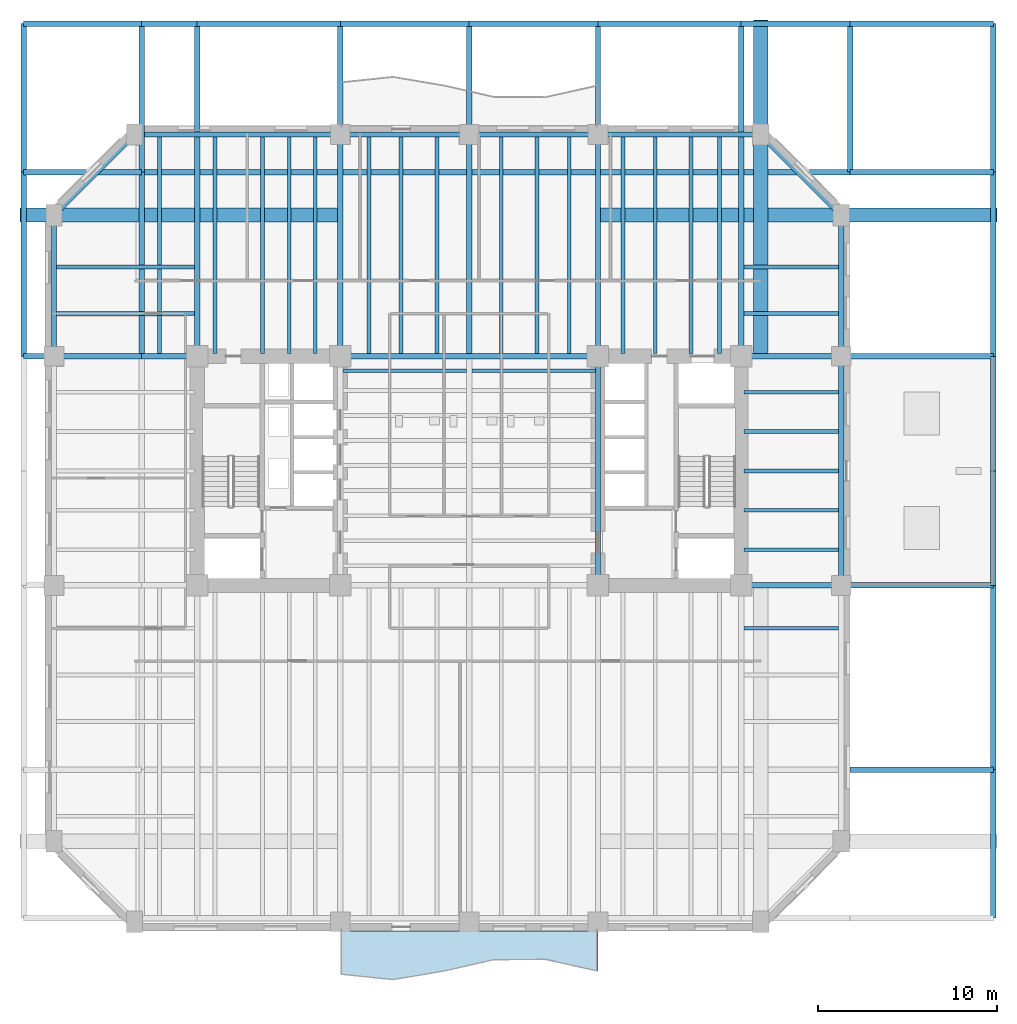
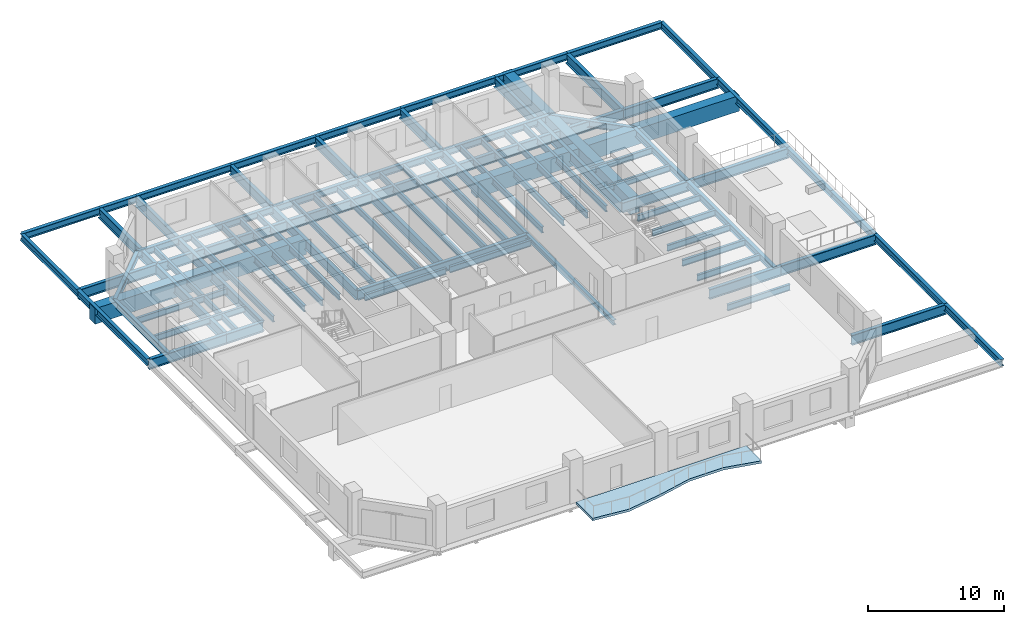
# One storey, part 2 of 11: 75 beams, 1 slab.
"""IFC4 building model written with IfcOpenShell, lengths in metres."""

from ifc_helpers import new_model, si_unit, direction, frame, origin, origin_2d, place, context, subcontext, project, spatial, polyline, rectangle, i_section, outline, extrude, material, layer, layer_set, material_profile, profile_set, type_object, element, save


model = new_model("IFC4")

# Units and contexts
model_context = context("Model", 3, precision=1e-05, world=origin(), true_north=direction((0.0, 1.0)))
body_context = subcontext(model_context, "Body", "Model", "MODEL_VIEW")
ifc_project = project(units=[si_unit("LENGTHUNIT", "METRE"), si_unit("AREAUNIT", "SQUARE_METRE"), si_unit("VOLUMEUNIT", "CUBIC_METRE"), si_unit("PLANEANGLEUNIT", "RADIAN"), si_unit("MASSUNIT", "GRAM", prefix="KILO")], contexts=[model_context])

# Site, building, storey
site_placement = place(None, origin())
site = spatial("IfcSite", under=ifc_project, at=site_placement, CompositionType="ELEMENT")
building_placement = place(site_placement, origin())
building = spatial("IfcBuilding", under=site, at=building_placement, Name="Kranthara Brick Stack", CompositionType="ELEMENT")
storey_placement = place(building_placement, frame((0.0, 0.0, 24.300048828125)))
storey = spatial("IfcBuildingStorey", under=building, at=storey_placement, Name="L05", CompositionType="ELEMENT", Elevation=24.300048828125)

# Beams
ifc_material_1 = material(Name="Steel S355", Category="steel")
ifc_material_profile_1 = material_profile(ifc_material_1, i_section(OverallWidth=0.2099609375, OverallDepth=0.550048828125, WebThickness=0.010986328125, FlangeThickness=0.01708984375, at=origin_2d()), Name="IPE 550")
ifc_profile_set_1 = profile_set([ifc_material_profile_1], Name="Steel S355")
beam_type_1 = type_object("IfcBeamType", Name="BM-JST-IPE550", PredefinedType="JOIST", material=ifc_profile_set_1)
for number, where, z_axis, x_axis, name in (
    (1, (20.949951171875, 32.800048828125, -0.72509765625), (1.0, 0.0, 0.0), (0.0, 1.0, 0.0), "L05 Central Floor Joist 100"),
    (2, (28.14990234375, 32.800048828125, -0.72509765625), (1.0, 0.0, 0.0), (0.0, 1.0, 0.0), "L05 Central Floor Joist 101"),
):
    element("IfcBeam", number, at=place(storey_placement, frame(where, z_axis=z_axis, x_axis=x_axis)), inside=storey, type_object=beam_type_1, Name=name, PredefinedType="JOIST", context=body_context, shape_type="SweptSolid", body=[
        extrude(i_section(OverallWidth=0.2099609375, OverallDepth=0.550048828125, WebThickness=0.010986328125, FlangeThickness=0.01708984375, at=origin_2d()), origin(), (0.0, 0.0, 1.0), 6.900146484375),
    ])
for number, where, z_axis, x_axis, name in (
    (3, (10.699951171875, 33.75, -0.72509765625), (0.0, 1.0, 0.0), (-1.0, 0.0, 0.0), "L05 North Wing Floor Joist 103"),
    (4, (13.800048828125, 33.75, -0.72509765625), (0.0, 1.0, 0.0), (-1.0, 0.0, 0.0), "L05 North Wing Floor Joist 105"),
    (5, (16.449951171875, 33.75, -0.72509765625), (0.0, 1.0, 0.0), (-1.0, 0.0, 0.0), "L05 North Wing Floor Joist 107"),
    (6, (17.949951171875, 33.75, -0.72509765625), (0.0, 1.0, 0.0), (-1.0, 0.0, 0.0), "L05 North Wing Floor Joist 109"),
    (7, (19.39990234375, 33.75, -0.72509765625), (0.0, 1.0, 0.0), (-1.0, 0.0, 0.0), "L05 North Wing Floor Joist 111"),
    (8, (22.39990234375, 33.75, -0.72509765625), (0.0, 1.0, 0.0), (-1.0, 0.0, 0.0), "L05 North Wing Floor Joist 113"),
    (9, (24.199951171875, 33.75, -0.72509765625), (0.0, 1.0, 0.0), (-1.0, 0.0, 0.0), "L05 North Wing Floor Joist 115"),
    (10, (26.199951171875, 33.75, -0.72509765625), (0.0, 1.0, 0.0), (-1.0, 0.0, 0.0), "L05 North Wing Floor Joist 117"),
    (11, (29.800048828125, 33.75, -0.72509765625), (0.0, 1.0, 0.0), (-1.0, 0.0, 0.0), "L05 North Wing Floor Joist 119"),
    (12, (31.800048828125, 33.75, -0.72509765625), (0.0, 1.0, 0.0), (-1.0, 0.0, 0.0), "L05 North Wing Floor Joist 121"),
    (13, (33.60009765625, 33.75, -0.72509765625), (0.0, 1.0, 0.0), (-1.0, 0.0, 0.0), "L05 North Wing Floor Joist 123"),
    (14, (36.60009765625, 33.75, -0.72509765625), (0.0, 1.0, 0.0), (-1.0, 0.0, 0.0), "L05 North Wing Floor Joist 125"),
    (15, (38.39990234375, 33.75, -0.72509765625), (0.0, 1.0, 0.0), (-1.0, 0.0, 0.0), "L05 North Wing Floor Joist 127"),
    (16, (40.39990234375, 33.75, -0.72509765625), (0.0, 1.0, 0.0), (-1.0, 0.0, 0.0), "L05 North Wing Floor Joist 129"),
    (17, (42.0, 33.75, -0.72509765625), (0.0, 1.0, 0.0), (-1.0, 0.0, 0.0), "L05 North Wing Floor Joist 131"),
):
    element("IfcBeam", number, at=place(storey_placement, frame(where, z_axis=z_axis, x_axis=x_axis)), inside=storey, type_object=beam_type_1, Name=name, PredefinedType="JOIST", context=body_context, shape_type="SweptSolid", body=[
        extrude(i_section(OverallWidth=0.2099609375, OverallDepth=0.550048828125, WebThickness=0.010986328125, FlangeThickness=0.01708984375, at=origin_2d()), origin(), (0.0, 0.0, 1.0), 12.10009765625),
    ])
for number, where, z_axis, x_axis, name in (
    (18, (43.35009765625, 18.39990234375, -0.72509765625), (1.0, 0.0, 0.0), (0.0, 1.0, 0.0), "L05 East Wing Floor Joist 139"),
    (19, (43.35009765625, 22.800048828125, -0.72509765625), (1.0, 0.0, 0.0), (0.0, 1.0, 0.0), "L05 East Wing Floor Joist 141"),
    (20, (43.35009765625, 25.0, -0.72509765625), (1.0, 0.0, 0.0), (0.0, 1.0, 0.0), "L05 East Wing Floor Joist 143"),
    (21, (43.35009765625, 27.199951171875, -0.72509765625), (1.0, 0.0, 0.0), (0.0, 1.0, 0.0), "L05 East Wing Floor Joist 145"),
    (22, (43.35009765625, 29.39990234375, -0.72509765625), (1.0, 0.0, 0.0), (0.0, 1.0, 0.0), "L05 East Wing Floor Joist 147"),
    (23, (43.35009765625, 31.60009765625, -0.72509765625), (1.0, 0.0, 0.0), (0.0, 1.0, 0.0), "L05 East Wing Floor Joist 149"),
):
    element("IfcBeam", number, at=place(storey_placement, frame(where, z_axis=z_axis, x_axis=x_axis)), inside=storey, type_object=beam_type_1, Name=name, PredefinedType="JOIST", context=body_context, shape_type="SweptSolid", body=[
        extrude(i_section(OverallWidth=0.2099609375, OverallDepth=0.550048828125, WebThickness=0.010986328125, FlangeThickness=0.01708984375, at=origin_2d()), origin(), (0.0, 0.0, 1.0), 5.2998046875),
    ])
beam_1_placement = place(storey_placement, frame((4.949951171875, 36.0, -0.72509765625), z_axis=(1.0, 0.0, 0.0), x_axis=(0.0, 1.0, 0.0)))
element("IfcBeam", 24, at=beam_1_placement, inside=storey, type_object=beam_type_1, Name="L05 West Wing Floor Joist 150", PredefinedType="JOIST", context=body_context, shape_type="SweptSolid", body=[
    extrude(i_section(OverallWidth=0.2099609375, OverallDepth=0.550048828125, WebThickness=0.010986328125, FlangeThickness=0.01708984375, at=origin_2d()), origin(), (0.0, 0.0, 1.0), 7.699951171875),
])
beam_2_placement = place(storey_placement, frame((43.35009765625, 36.0, -0.72509765625), z_axis=(1.0, 0.0, 0.0), x_axis=(0.0, 1.0, 0.0)))
element("IfcBeam", 25, at=beam_2_placement, inside=storey, type_object=beam_type_1, Name="L05 East Wing Floor Joist 151", PredefinedType="JOIST", context=body_context, shape_type="SweptSolid", body=[
    extrude(i_section(OverallWidth=0.2099609375, OverallDepth=0.550048828125, WebThickness=0.010986328125, FlangeThickness=0.01708984375, at=origin_2d()), origin(), (0.0, 0.0, 1.0), 5.2998046875),
])
beam_3_placement = place(storey_placement, frame((4.949951171875, 38.60009765625, -0.72509765625), z_axis=(1.0, 0.0, 0.0), x_axis=(0.0, 1.0, 0.0)))
element("IfcBeam", 26, at=beam_3_placement, inside=storey, type_object=beam_type_1, Name="L05 West Wing Floor Joist 152", PredefinedType="JOIST", context=body_context, shape_type="SweptSolid", body=[
    extrude(i_section(OverallWidth=0.2099609375, OverallDepth=0.550048828125, WebThickness=0.010986328125, FlangeThickness=0.01708984375, at=origin_2d()), origin(), (0.0, 0.0, 1.0), 7.699951171875),
])
beam_4_placement = place(storey_placement, frame((43.35009765625, 38.60009765625, -0.72509765625), z_axis=(1.0, 0.0, 0.0), x_axis=(0.0, 1.0, 0.0)))
element("IfcBeam", 27, at=beam_4_placement, inside=storey, type_object=beam_type_1, Name="L05 East Wing Floor Joist 153", PredefinedType="JOIST", context=body_context, shape_type="SweptSolid", body=[
    extrude(i_section(OverallWidth=0.2099609375, OverallDepth=0.550048828125, WebThickness=0.010986328125, FlangeThickness=0.01708984375, at=origin_2d()), origin(), (0.0, 0.0, 1.0), 5.2998046875),
])
ifc_material_2 = material(Name="Steel S355", Category="steel")
ifc_material_profile_2 = material_profile(ifc_material_2, i_section(OverallWidth=0.300048828125, OverallDepth=0.449951171875, WebThickness=0.013916015625, FlangeThickness=0.02587890625, at=origin_2d()), Name="HEB 450")
ifc_profile_set_2 = profile_set([ifc_material_profile_2], Name="Steel S355")
beam_type_2 = type_object("IfcBeamType", Name="BM-STL-HEB450", PredefinedType="SPANDREL", material=ifc_profile_set_2)
beam_5_placement = place(storey_placement, frame((35.199951171875, 20.800048828125, -0.675048828125), z_axis=(0.0, 1.0, 0.0), x_axis=(-1.0, 0.0, 0.0)))
element("IfcBeam", 28, at=beam_5_placement, inside=storey, type_object=beam_type_2, Name="L05 Core Edge Tie Beam 004", PredefinedType="SPANDREL", context=body_context, shape_type="SweptSolid", body=[
    extrude(i_section(OverallWidth=0.300048828125, OverallDepth=0.449951171875, WebThickness=0.013916015625, FlangeThickness=0.02587890625, at=origin_2d()), origin(), (0.0, 0.0, 1.0), 12.800048828125),
])
ifc_material_3 = material(Name="Steel S355", Category="steel")
ifc_material_profile_3 = material_profile(ifc_material_3, i_section(OverallWidth=0.300048828125, OverallDepth=0.60009765625, WebThickness=0.015380859375, FlangeThickness=0.030029296875, at=origin_2d()), Name="HEB 600")
ifc_profile_set_3 = profile_set([ifc_material_profile_3], Name="Steel S355")
beam_type_3 = type_object("IfcBeamType", Name="BM-STL-HEB600", PredefinedType="BEAM", material=ifc_profile_set_3)
beam_6_placement = place(storey_placement, frame((3.10009765625, 52.199951171875, -0.75), z_axis=(1.0, 0.0, 0.0), x_axis=(0.0, 1.0, 0.0)))
element("IfcBeam", 29, at=beam_6_placement, inside=storey, type_object=beam_type_3, Name="L05 Perimeter Spandrel Beam 013", PredefinedType="BEAM", context=body_context, shape_type="SweptSolid", body=[
    extrude(i_section(OverallWidth=0.300048828125, OverallDepth=0.60009765625, WebThickness=0.015380859375, FlangeThickness=0.030029296875, at=origin_2d()), origin(), (0.0, 0.0, 1.0), 6.599853515625),
])
beam_7_placement = place(storey_placement, frame((9.699951171875, 52.199951171875, -0.75), z_axis=(1.0, 0.0, 0.0), x_axis=(0.0, 1.0, 0.0)))
element("IfcBeam", 30, at=beam_7_placement, inside=storey, type_object=beam_type_3, Name="L05 Perimeter Spandrel Beam 014", PredefinedType="BEAM", context=body_context, shape_type="SweptSolid", body=[
    extrude(i_section(OverallWidth=0.300048828125, OverallDepth=0.60009765625, WebThickness=0.015380859375, FlangeThickness=0.030029296875, at=origin_2d()), origin(), (0.0, 0.0, 1.0), 3.10009765625),
])
beam_8_placement = place(storey_placement, frame((12.800048828125, 52.199951171875, -0.75), z_axis=(1.0, 0.0, 0.0), x_axis=(0.0, 1.0, 0.0)))
element("IfcBeam", 31, at=beam_8_placement, inside=storey, type_object=beam_type_3, Name="L05 Perimeter Spandrel Beam 015", PredefinedType="BEAM", context=body_context, shape_type="SweptSolid", body=[
    extrude(i_section(OverallWidth=0.300048828125, OverallDepth=0.60009765625, WebThickness=0.015380859375, FlangeThickness=0.030029296875, at=origin_2d()), origin(), (0.0, 0.0, 1.0), 8.0),
])
for number, where, z_axis, x_axis, name in (
    (32, (20.800048828125, 52.199951171875, -0.75), (1.0, 0.0, 0.0), (0.0, 1.0, 0.0), "L05 Perimeter Spandrel Beam 016"),
    (33, (28.0, 52.199951171875, -0.75), (1.0, 0.0, 0.0), (0.0, 1.0, 0.0), "L05 Perimeter Spandrel Beam 017"),
):
    element("IfcBeam", number, at=place(storey_placement, frame(where, z_axis=z_axis, x_axis=x_axis)), inside=storey, type_object=beam_type_3, Name=name, PredefinedType="BEAM", context=body_context, shape_type="SweptSolid", body=[
        extrude(i_section(OverallWidth=0.300048828125, OverallDepth=0.60009765625, WebThickness=0.015380859375, FlangeThickness=0.030029296875, at=origin_2d()), origin(), (0.0, 0.0, 1.0), 7.199951171875),
    ])
beam_9_placement = place(storey_placement, frame((35.199951171875, 52.199951171875, -0.75), z_axis=(1.0, 0.0, 0.0), x_axis=(0.0, 1.0, 0.0)))
element("IfcBeam", 34, at=beam_9_placement, inside=storey, type_object=beam_type_3, Name="L05 Perimeter Spandrel Beam 018", PredefinedType="BEAM", context=body_context, shape_type="SweptSolid", body=[
    extrude(i_section(OverallWidth=0.300048828125, OverallDepth=0.60009765625, WebThickness=0.015380859375, FlangeThickness=0.030029296875, at=origin_2d()), origin(), (0.0, 0.0, 1.0), 8.0),
])
beam_10_placement = place(storey_placement, frame((43.199951171875, 52.199951171875, -0.75), z_axis=(1.0, 0.0, 0.0), x_axis=(0.0, 1.0, 0.0)))
element("IfcBeam", 35, at=beam_10_placement, inside=storey, type_object=beam_type_3, Name="L05 Perimeter Spandrel Beam 019", PredefinedType="BEAM", context=body_context, shape_type="SweptSolid", body=[
    extrude(i_section(OverallWidth=0.300048828125, OverallDepth=0.60009765625, WebThickness=0.015380859375, FlangeThickness=0.030029296875, at=origin_2d()), origin(), (0.0, 0.0, 1.0), 6.10009765625),
])
beam_11_placement = place(storey_placement, frame((49.300048828125, 52.199951171875, -0.75), z_axis=(1.0, 0.0, 0.0), x_axis=(0.0, 1.0, 0.0)))
element("IfcBeam", 36, at=beam_11_placement, inside=storey, type_object=beam_type_3, Name="L05 Perimeter Spandrel Beam 020", PredefinedType="BEAM", context=body_context, shape_type="SweptSolid", body=[
    extrude(i_section(OverallWidth=0.300048828125, OverallDepth=0.60009765625, WebThickness=0.015380859375, FlangeThickness=0.030029296875, at=origin_2d()), origin(), (0.0, 0.0, 1.0), 8.0),
])
beam_12_placement = place(storey_placement, frame((3.10009765625, 33.60009765625, -0.75), z_axis=(0.0, 1.0, 0.0), x_axis=(-1.0, 0.0, 0.0)))
element("IfcBeam", 37, at=beam_12_placement, inside=storey, type_object=beam_type_3, Name="L05 Perimeter Spandrel Beam 025", PredefinedType="BEAM", context=body_context, shape_type="SweptSolid", body=[
    extrude(i_section(OverallWidth=0.300048828125, OverallDepth=0.60009765625, WebThickness=0.015380859375, FlangeThickness=0.030029296875, at=origin_2d()), origin(), (0.0, 0.0, 1.0), 10.2998046875),
])
for number, where, z_axis, x_axis, name in (
    (38, (3.10009765625, 43.89990234375, -0.75), (0.0, 1.0, 0.0), (-1.0, 0.0, 0.0), "L05 Perimeter Spandrel Beam 026"),
    (39, (57.300048828125, 2.199951171875, -0.75), (0.0, 1.0, 0.0), (-1.0, 0.0, 0.0), "L05 Perimeter Spandrel Beam 027"),
):
    element("IfcBeam", number, at=place(storey_placement, frame(where, z_axis=z_axis, x_axis=x_axis)), inside=storey, type_object=beam_type_3, Name=name, PredefinedType="BEAM", context=body_context, shape_type="SweptSolid", body=[
        extrude(i_section(OverallWidth=0.300048828125, OverallDepth=0.60009765625, WebThickness=0.015380859375, FlangeThickness=0.030029296875, at=origin_2d()), origin(), (0.0, 0.0, 1.0), 8.300048828125),
    ])
beam_13_placement = place(storey_placement, frame((57.300048828125, 10.5, -0.75), z_axis=(0.0, 1.0, 0.0), x_axis=(-1.0, 0.0, 0.0)))
element("IfcBeam", 40, at=beam_13_placement, inside=storey, type_object=beam_type_3, Name="L05 Perimeter Spandrel Beam 028", PredefinedType="BEAM", context=body_context, shape_type="SweptSolid", body=[
    extrude(i_section(OverallWidth=0.300048828125, OverallDepth=0.60009765625, WebThickness=0.015380859375, FlangeThickness=0.030029296875, at=origin_2d()), origin(), (0.0, 0.0, 1.0), 10.300048828125),
])
beam_14_placement = place(storey_placement, frame((57.300048828125, 20.800048828125, -0.75), z_axis=(0.0, 1.0, 0.0), x_axis=(-1.0, 0.0, 0.0)))
element("IfcBeam", 41, at=beam_14_placement, inside=storey, type_object=beam_type_3, Name="L05 Perimeter Spandrel Beam 029", PredefinedType="BEAM", context=body_context, shape_type="SweptSolid", body=[
    extrude(i_section(OverallWidth=0.300048828125, OverallDepth=0.60009765625, WebThickness=0.015380859375, FlangeThickness=0.030029296875, at=origin_2d()), origin(), (0.0, 0.0, 1.0), 6.39990234375),
])
beam_15_placement = place(storey_placement, frame((57.300048828125, 27.199951171875, -0.75), z_axis=(0.0, 1.0, 0.0), x_axis=(-1.0, 0.0, 0.0)))
element("IfcBeam", 42, at=beam_15_placement, inside=storey, type_object=beam_type_3, Name="L05 Perimeter Spandrel Beam 030", PredefinedType="BEAM", context=body_context, shape_type="SweptSolid", body=[
    extrude(i_section(OverallWidth=0.300048828125, OverallDepth=0.60009765625, WebThickness=0.015380859375, FlangeThickness=0.030029296875, at=origin_2d()), origin(), (0.0, 0.0, 1.0), 6.400146484375),
])
beam_16_placement = place(storey_placement, frame((57.300048828125, 33.60009765625, -0.75), z_axis=(0.0, 1.0, 0.0), x_axis=(-1.0, 0.0, 0.0)))
element("IfcBeam", 43, at=beam_16_placement, inside=storey, type_object=beam_type_3, Name="L05 Perimeter Spandrel Beam 031", PredefinedType="BEAM", context=body_context, shape_type="SweptSolid", body=[
    extrude(i_section(OverallWidth=0.300048828125, OverallDepth=0.60009765625, WebThickness=0.015380859375, FlangeThickness=0.030029296875, at=origin_2d()), origin(), (0.0, 0.0, 1.0), 10.2998046875),
])
beam_17_placement = place(storey_placement, frame((57.300048828125, 43.89990234375, -0.75), z_axis=(0.0, 1.0, 0.0), x_axis=(-1.0, 0.0, 0.0)))
element("IfcBeam", 44, at=beam_17_placement, inside=storey, type_object=beam_type_3, Name="L05 Perimeter Spandrel Beam 032", PredefinedType="BEAM", context=body_context, shape_type="SweptSolid", body=[
    extrude(i_section(OverallWidth=0.300048828125, OverallDepth=0.60009765625, WebThickness=0.015380859375, FlangeThickness=0.030029296875, at=origin_2d()), origin(), (0.0, 0.0, 1.0), 8.300048828125),
])
beam_18_placement = place(storey_placement, frame((9.300048828125, 46.0, -0.75), z_axis=(1.0, 0.0, 0.0), x_axis=(0.0, 1.0, 0.0)))
element("IfcBeam", 45, at=beam_18_placement, inside=storey, type_object=beam_type_3, Name="L05 Perimeter Spandrel Beam 033", PredefinedType="BEAM", context=body_context, shape_type="SweptSolid", body=[
    extrude(i_section(OverallWidth=0.300048828125, OverallDepth=0.60009765625, WebThickness=0.015380859375, FlangeThickness=0.030029296875, at=origin_2d()), origin(), (0.0, 0.0, 1.0), 11.5),
])
for number, where, z_axis, x_axis, name in (
    (46, (20.800048828125, 46.0, -0.75), (1.0, 0.0, 0.0), (0.0, 1.0, 0.0), "L05 Perimeter Spandrel Beam 034"),
    (47, (28.0, 46.0, -0.75), (1.0, 0.0, 0.0), (0.0, 1.0, 0.0), "L05 Perimeter Spandrel Beam 035"),
):
    element("IfcBeam", number, at=place(storey_placement, frame(where, z_axis=z_axis, x_axis=x_axis)), inside=storey, type_object=beam_type_3, Name=name, PredefinedType="BEAM", context=body_context, shape_type="SweptSolid", body=[
        extrude(i_section(OverallWidth=0.300048828125, OverallDepth=0.60009765625, WebThickness=0.015380859375, FlangeThickness=0.030029296875, at=origin_2d()), origin(), (0.0, 0.0, 1.0), 7.199951171875),
    ])
beam_19_placement = place(storey_placement, frame((35.199951171875, 46.0, -0.75), z_axis=(1.0, 0.0, 0.0), x_axis=(0.0, 1.0, 0.0)))
element("IfcBeam", 48, at=beam_19_placement, inside=storey, type_object=beam_type_3, Name="L05 Perimeter Spandrel Beam 036", PredefinedType="BEAM", context=body_context, shape_type="SweptSolid", body=[
    extrude(i_section(OverallWidth=0.300048828125, OverallDepth=0.60009765625, WebThickness=0.015380859375, FlangeThickness=0.030029296875, at=origin_2d()), origin(), (0.0, 0.0, 1.0), 9.10009765625),
])
beam_20_placement = place(storey_placement, frame((4.800048828125, 33.60009765625, -0.75), z_axis=(0.0, 1.0, 0.0), x_axis=(-1.0, 0.0, 0.0)))
element("IfcBeam", 49, at=beam_20_placement, inside=storey, type_object=beam_type_3, Name="L05 Perimeter Spandrel Beam 039", PredefinedType="BEAM", context=body_context, shape_type="SweptSolid", body=[
    extrude(i_section(OverallWidth=0.300048828125, OverallDepth=0.60009765625, WebThickness=0.015380859375, FlangeThickness=0.030029296875, at=origin_2d()), origin(), (0.0, 0.0, 1.0), 7.89990234375),
])
beam_21_placement = place(storey_placement, frame((48.800048828125, 20.800048828125, -0.75), z_axis=(0.0, 1.0, 0.0), x_axis=(-1.0, 0.0, 0.0)))
element("IfcBeam", 50, at=beam_21_placement, inside=storey, type_object=beam_type_3, Name="L05 Perimeter Spandrel Beam 041", PredefinedType="BEAM", context=body_context, shape_type="SweptSolid", body=[
    extrude(i_section(OverallWidth=0.300048828125, OverallDepth=0.60009765625, WebThickness=0.015380859375, FlangeThickness=0.030029296875, at=origin_2d()), origin(), (0.0, 0.0, 1.0), 12.800048828125),
])
beam_22_placement = place(storey_placement, frame((48.800048828125, 33.60009765625, -0.75), z_axis=(0.0, 1.0, 0.0), x_axis=(-1.0, 0.0, 0.0)))
element("IfcBeam", 51, at=beam_22_placement, inside=storey, type_object=beam_type_3, Name="L05 Perimeter Spandrel Beam 042", PredefinedType="BEAM", context=body_context, shape_type="SweptSolid", body=[
    extrude(i_section(OverallWidth=0.300048828125, OverallDepth=0.60009765625, WebThickness=0.015380859375, FlangeThickness=0.030029296875, at=origin_2d()), origin(), (0.0, 0.0, 1.0), 7.89990234375),
])
for number, where, z_axis, x_axis, name in (
    (52, (9.300048828125, 46.0, -0.75), (-0.707106781187, -0.707106781187, 0.0), (0.707106781187, -0.707106781187, 0.0), "L05 Chamfer Corner Spandrel 045"),
    (53, (44.300048828125, 46.0, -0.75), (0.707106781187, -0.707106781187, 0.0), (0.707106781187, 0.707106781187, 0.0), "L05 Chamfer Corner Spandrel 046"),
):
    element("IfcBeam", number, at=place(storey_placement, frame(where, z_axis=z_axis, x_axis=x_axis)), inside=storey, type_object=beam_type_3, Name=name, PredefinedType="BEAM", context=body_context, shape_type="SweptSolid", body=[
        extrude(i_section(OverallWidth=0.300048828125, OverallDepth=0.60009765625, WebThickness=0.015380859375, FlangeThickness=0.030029296875, at=origin_2d()), origin(), (0.0, 0.0, 1.0), 6.364013671875),
    ])
ifc_material_4 = material(Name="Steel S460", Category="steel")
ifc_material_profile_4 = material_profile(ifc_material_4, i_section(OverallWidth=0.300048828125, OverallDepth=0.89990234375, WebThickness=0.0185546875, FlangeThickness=0.034912109375, at=origin_2d()), Name="HEB 900")
ifc_profile_set_4 = profile_set([ifc_material_profile_4], Name="Steel S460")
beam_type_4 = type_object("IfcBeamType", Name="BM-TR-HEB900", PredefinedType="BEAM", material=ifc_profile_set_4)
beam_23_placement = place(storey_placement, frame((20.800048828125, 33.60009765625, -0.900146484375), z_axis=(1.0, 0.0, 0.0), x_axis=(0.0, 1.0, 0.0)))
element("IfcBeam", 54, at=beam_23_placement, inside=storey, type_object=beam_type_4, Name="L05 Core Coupling Beam 002", PredefinedType="BEAM", context=body_context, shape_type="SweptSolid", body=[
    extrude(i_section(OverallWidth=0.300048828125, OverallDepth=0.89990234375, WebThickness=0.0185546875, FlangeThickness=0.034912109375, at=origin_2d()), origin(), (0.0, 0.0, 1.0), 14.39990234375),
])
beam_24_placement = place(storey_placement, frame((9.699951171875, 33.60009765625, -0.900146484375), z_axis=(0.0, 1.0, 0.0), x_axis=(-1.0, 0.0, 0.0)))
element("IfcBeam", 55, at=beam_24_placement, inside=storey, type_object=beam_type_4, Name="L05 Primary Grid Girder 050", PredefinedType="BEAM", context=body_context, shape_type="SweptSolid", body=[
    extrude(i_section(OverallWidth=0.300048828125, OverallDepth=0.89990234375, WebThickness=0.0185546875, FlangeThickness=0.034912109375, at=origin_2d()), origin(), (0.0, 0.0, 1.0), 10.2998046875),
])
beam_25_placement = place(storey_placement, frame((9.699951171875, 43.89990234375, -0.900146484375), z_axis=(0.0, 1.0, 0.0), x_axis=(-1.0, 0.0, 0.0)))
element("IfcBeam", 56, at=beam_25_placement, inside=storey, type_object=beam_type_4, Name="L05 Primary Grid Girder 051", PredefinedType="BEAM", context=body_context, shape_type="SweptSolid", body=[
    extrude(i_section(OverallWidth=0.300048828125, OverallDepth=0.89990234375, WebThickness=0.0185546875, FlangeThickness=0.034912109375, at=origin_2d()), origin(), (0.0, 0.0, 1.0), 8.300048828125),
])
for number, where, z_axis, x_axis, name in (
    (57, (12.800048828125, 33.60009765625, -0.900146484375), (0.0, 1.0, 0.0), (-1.0, 0.0, 0.0), "L05 Primary Grid Girder 053"),
    (58, (20.800048828125, 33.60009765625, -0.900146484375), (0.0, 1.0, 0.0), (-1.0, 0.0, 0.0), "L05 Primary Grid Girder 055"),
):
    element("IfcBeam", number, at=place(storey_placement, frame(where, z_axis=z_axis, x_axis=x_axis)), inside=storey, type_object=beam_type_4, Name=name, PredefinedType="BEAM", context=body_context, shape_type="SweptSolid", body=[
        extrude(i_section(OverallWidth=0.300048828125, OverallDepth=0.89990234375, WebThickness=0.0185546875, FlangeThickness=0.034912109375, at=origin_2d()), origin(), (0.0, 0.0, 1.0), 18.599853515625),
    ])
beam_26_placement = place(storey_placement, frame((28.0, 33.75, -0.900146484375), z_axis=(0.0, 1.0, 0.0), x_axis=(-1.0, 0.0, 0.0)))
element("IfcBeam", 59, at=beam_26_placement, inside=storey, type_object=beam_type_4, Name="L05 Primary Grid Girder 058", PredefinedType="BEAM", context=body_context, shape_type="SweptSolid", body=[
    extrude(i_section(OverallWidth=0.300048828125, OverallDepth=0.89990234375, WebThickness=0.0185546875, FlangeThickness=0.034912109375, at=origin_2d()), origin(), (0.0, 0.0, 1.0), 18.449951171875),
])
for number, where, z_axis, x_axis, name in (
    (60, (35.199951171875, 33.60009765625, -0.900146484375), (0.0, 1.0, 0.0), (-1.0, 0.0, 0.0), "L05 Primary Grid Girder 060"),
    (61, (43.199951171875, 33.60009765625, -0.900146484375), (0.0, 1.0, 0.0), (-1.0, 0.0, 0.0), "L05 Primary Grid Girder 062"),
):
    element("IfcBeam", number, at=place(storey_placement, frame(where, z_axis=z_axis, x_axis=x_axis)), inside=storey, type_object=beam_type_4, Name=name, PredefinedType="BEAM", context=body_context, shape_type="SweptSolid", body=[
        extrude(i_section(OverallWidth=0.300048828125, OverallDepth=0.89990234375, WebThickness=0.0185546875, FlangeThickness=0.034912109375, at=origin_2d()), origin(), (0.0, 0.0, 1.0), 18.599853515625),
    ])
beam_27_placement = place(storey_placement, frame((49.300048828125, 43.89990234375, -0.900146484375), z_axis=(0.0, 1.0, 0.0), x_axis=(-1.0, 0.0, 0.0)))
element("IfcBeam", 62, at=beam_27_placement, inside=storey, type_object=beam_type_4, Name="L05 Primary Grid Girder 063", PredefinedType="BEAM", context=body_context, shape_type="SweptSolid", body=[
    extrude(i_section(OverallWidth=0.300048828125, OverallDepth=0.89990234375, WebThickness=0.0185546875, FlangeThickness=0.034912109375, at=origin_2d()), origin(), (0.0, 0.0, 1.0), 8.300048828125),
])
beam_28_placement = place(storey_placement, frame((49.300048828125, 10.5, -0.900146484375), z_axis=(1.0, 0.0, 0.0), x_axis=(0.0, 1.0, 0.0)))
element("IfcBeam", 63, at=beam_28_placement, inside=storey, type_object=beam_type_4, Name="L05 Primary Grid Girder 066", PredefinedType="BEAM", context=body_context, shape_type="SweptSolid", body=[
    extrude(i_section(OverallWidth=0.300048828125, OverallDepth=0.89990234375, WebThickness=0.0185546875, FlangeThickness=0.034912109375, at=origin_2d()), origin(), (0.0, 0.0, 1.0), 8.0),
])
beam_29_placement = place(storey_placement, frame((43.199951171875, 20.800048828125, -0.900146484375), z_axis=(1.0, 0.0, 0.0), x_axis=(0.0, 1.0, 0.0)))
element("IfcBeam", 64, at=beam_29_placement, inside=storey, type_object=beam_type_4, Name="L05 Primary Grid Girder 069", PredefinedType="BEAM", context=body_context, shape_type="SweptSolid", body=[
    extrude(i_section(OverallWidth=0.300048828125, OverallDepth=0.89990234375, WebThickness=0.0185546875, FlangeThickness=0.034912109375, at=origin_2d()), origin(), (0.0, 0.0, 1.0), 6.10009765625),
])
beam_30_placement = place(storey_placement, frame((49.300048828125, 20.800048828125, -0.900146484375), z_axis=(1.0, 0.0, 0.0), x_axis=(0.0, 1.0, 0.0)))
element("IfcBeam", 65, at=beam_30_placement, inside=storey, type_object=beam_type_4, Name="L05 Primary Grid Girder 070", PredefinedType="BEAM", context=body_context, shape_type="SweptSolid", body=[
    extrude(i_section(OverallWidth=0.300048828125, OverallDepth=0.89990234375, WebThickness=0.0185546875, FlangeThickness=0.034912109375, at=origin_2d()), origin(), (0.0, 0.0, 1.0), 8.0),
])
beam_31_placement = place(storey_placement, frame((3.10009765625, 33.60009765625, -0.900146484375), z_axis=(1.0, 0.0, 0.0), x_axis=(0.0, 1.0, 0.0)))
element("IfcBeam", 66, at=beam_31_placement, inside=storey, type_object=beam_type_4, Name="L05 Primary Grid Girder 071", PredefinedType="BEAM", context=body_context, shape_type="SweptSolid", body=[
    extrude(i_section(OverallWidth=0.300048828125, OverallDepth=0.89990234375, WebThickness=0.0185546875, FlangeThickness=0.034912109375, at=origin_2d()), origin(), (0.0, 0.0, 1.0), 6.599853515625),
])
beam_32_placement = place(storey_placement, frame((9.699951171875, 33.60009765625, -0.900146484375), z_axis=(1.0, 0.0, 0.0), x_axis=(0.0, 1.0, 0.0)))
element("IfcBeam", 67, at=beam_32_placement, inside=storey, type_object=beam_type_4, Name="L05 Primary Grid Girder 072", PredefinedType="BEAM", context=body_context, shape_type="SweptSolid", body=[
    extrude(i_section(OverallWidth=0.300048828125, OverallDepth=0.89990234375, WebThickness=0.0185546875, FlangeThickness=0.034912109375, at=origin_2d()), origin(), (0.0, 0.0, 1.0), 3.10009765625),
])
beam_33_placement = place(storey_placement, frame((43.199951171875, 33.60009765625, -0.900146484375), z_axis=(1.0, 0.0, 0.0), x_axis=(0.0, 1.0, 0.0)))
element("IfcBeam", 68, at=beam_33_placement, inside=storey, type_object=beam_type_4, Name="L05 Primary Grid Girder 073", PredefinedType="BEAM", context=body_context, shape_type="SweptSolid", body=[
    extrude(i_section(OverallWidth=0.300048828125, OverallDepth=0.89990234375, WebThickness=0.0185546875, FlangeThickness=0.034912109375, at=origin_2d()), origin(), (0.0, 0.0, 1.0), 6.10009765625),
])
beam_34_placement = place(storey_placement, frame((49.300048828125, 33.60009765625, -0.900146484375), z_axis=(1.0, 0.0, 0.0), x_axis=(0.0, 1.0, 0.0)))
element("IfcBeam", 69, at=beam_34_placement, inside=storey, type_object=beam_type_4, Name="L05 Primary Grid Girder 074", PredefinedType="BEAM", context=body_context, shape_type="SweptSolid", body=[
    extrude(i_section(OverallWidth=0.300048828125, OverallDepth=0.89990234375, WebThickness=0.0185546875, FlangeThickness=0.034912109375, at=origin_2d()), origin(), (0.0, 0.0, 1.0), 8.0),
])
beam_35_placement = place(storey_placement, frame((3.10009765625, 43.89990234375, -0.900146484375), z_axis=(1.0, 0.0, 0.0), x_axis=(0.0, 1.0, 0.0)))
element("IfcBeam", 70, at=beam_35_placement, inside=storey, type_object=beam_type_4, Name="L05 Primary Grid Girder 075", PredefinedType="BEAM", context=body_context, shape_type="SweptSolid", body=[
    extrude(i_section(OverallWidth=0.300048828125, OverallDepth=0.89990234375, WebThickness=0.0185546875, FlangeThickness=0.034912109375, at=origin_2d()), origin(), (0.0, 0.0, 1.0), 6.599853515625),
])
beam_36_placement = place(storey_placement, frame((9.699951171875, 43.89990234375, -0.900146484375), z_axis=(1.0, 0.0, 0.0), x_axis=(0.0, 1.0, 0.0)))
element("IfcBeam", 71, at=beam_36_placement, inside=storey, type_object=beam_type_4, Name="L05 Primary Grid Girder 076", PredefinedType="BEAM", context=body_context, shape_type="SweptSolid", body=[
    extrude(i_section(OverallWidth=0.300048828125, OverallDepth=0.89990234375, WebThickness=0.0185546875, FlangeThickness=0.034912109375, at=origin_2d()), origin(), (0.0, 0.0, 1.0), 39.60009765625),
])
beam_37_placement = place(storey_placement, frame((49.300048828125, 43.89990234375, -0.900146484375), z_axis=(1.0, 0.0, 0.0), x_axis=(0.0, 1.0, 0.0)))
element("IfcBeam", 72, at=beam_37_placement, inside=storey, type_object=beam_type_4, Name="L05 Primary Grid Girder 077", PredefinedType="BEAM", context=body_context, shape_type="SweptSolid", body=[
    extrude(i_section(OverallWidth=0.300048828125, OverallDepth=0.89990234375, WebThickness=0.0185546875, FlangeThickness=0.034912109375, at=origin_2d()), origin(), (0.0, 0.0, 1.0), 8.0),
])
ifc_material_5 = material(Name="Post-tensioned concrete C50/60", Category="concrete")
ifc_material_profile_5 = material_profile(ifc_material_5, rectangle(XDim=0.800048828125, YDim=1.39990234375, at=origin_2d()), Name="PT 800x1400")
ifc_profile_set_5 = profile_set([ifc_material_profile_5], Name="Post-tensioned concrete C50/60")
beam_type_5 = type_object("IfcBeamType", Name="BM-TR-PT1400", PredefinedType="T_BEAM", material=ifc_profile_set_5)
beam_38_placement = place(storey_placement, frame((44.300048828125, 52.39990234375, -1.150146484375), z_axis=(0.0, -1.0, 0.0), x_axis=(1.0, 0.0, 0.0)))
element("IfcBeam", 73, at=beam_38_placement, inside=storey, type_object=beam_type_5, Name="L05 Transfer Tie Girder 079", PredefinedType="T_BEAM", context=body_context, shape_type="SweptSolid", body=[
    extrude(rectangle(XDim=0.800048828125, YDim=1.39990234375, at=origin_2d()), origin(), (0.0, 0.0, 1.0), 18.7998046875),
])
beam_39_placement = place(storey_placement, frame((2.89990234375, 41.5, -1.150146484375), z_axis=(1.0, 0.0, 0.0), x_axis=(0.0, 1.0, 0.0)))
element("IfcBeam", 74, at=beam_39_placement, inside=storey, type_object=beam_type_5, Name="L05 Transfer Tie Girder 082", PredefinedType="T_BEAM", context=body_context, shape_type="SweptSolid", body=[
    extrude(rectangle(XDim=0.800048828125, YDim=1.39990234375, at=origin_2d()), origin(), (0.0, 0.0, 1.0), 17.900146484375),
])
beam_40_placement = place(storey_placement, frame((57.5, 41.5, -1.150146484375), z_axis=(-1.0, 0.0, 0.0), x_axis=(0.0, -1.0, 0.0)))
element("IfcBeam", 75, at=beam_40_placement, inside=storey, type_object=beam_type_5, Name="L05 Transfer Tie Girder 083", PredefinedType="T_BEAM", context=body_context, shape_type="SweptSolid", body=[
    extrude(rectangle(XDim=0.800048828125, YDim=1.39990234375, at=origin_2d()), origin(), (0.0, 0.0, 1.0), 22.300048828125),
])

# Slab
ifc_material_6 = material(Name="Concrete C45/55", Category="concrete")
ifc_layer = layer(ifc_material_6, 0.219970703125)
ifc_layer_set = layer_set([ifc_layer], Name="Concrete C45/55")
slab_type = type_object("IfcSlabType", Name="SLB-BALC-220", PredefinedType="FLOOR", material=ifc_layer_set)
slab_placement = place(storey_placement, frame((0.0, 0.0, -0.219970703125)))
element("IfcSlab", 76, at=slab_placement, inside=storey, type_object=slab_type, Name="L05 South Rippling Balcony Slab", PredefinedType="FLOOR", context=body_context, shape_type="SweptSolid", body=[
    extrude(outline(polyline([(20.800048828125, 1.5), (35.199951171875, 1.5), (35.199951171875, -0.744873046875), (32.320068359375, -0.099853515625), (29.43994140625, -0.115234375), (26.56005859375, -0.771728515625), (23.679931640625, -1.24365234375), (20.800048828125, -0.9375), (20.800048828125, 1.5)])), origin(), (0.0, 0.0, 1.0), 0.219970703125),
])

save(model, "model.ifc")
